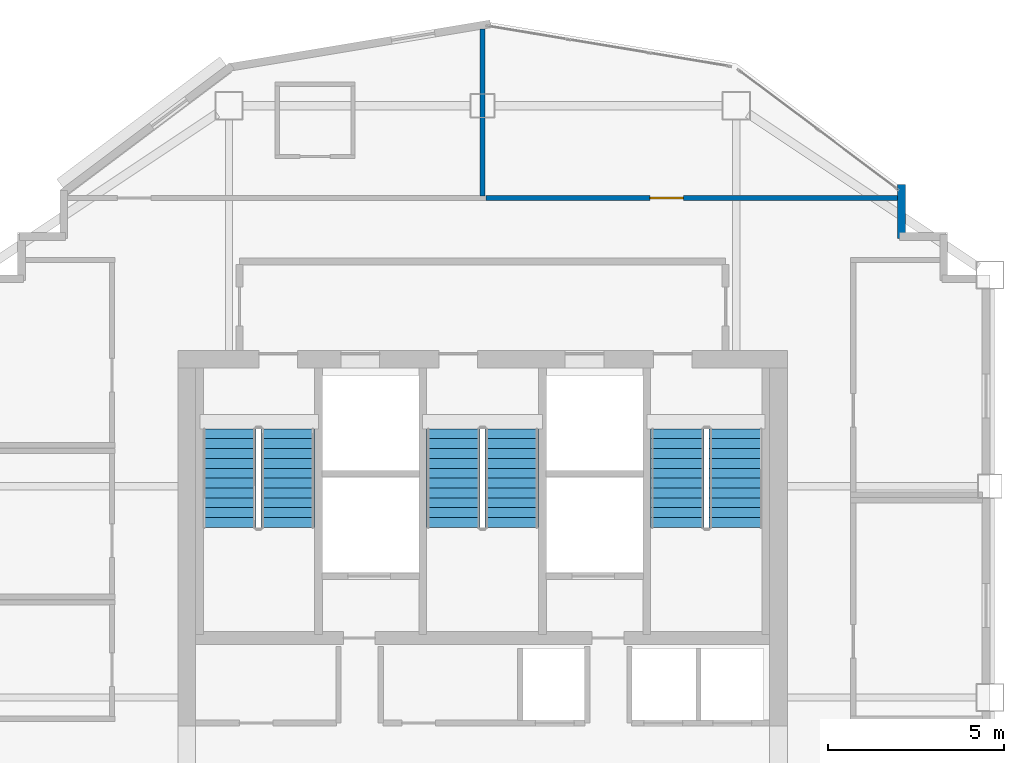
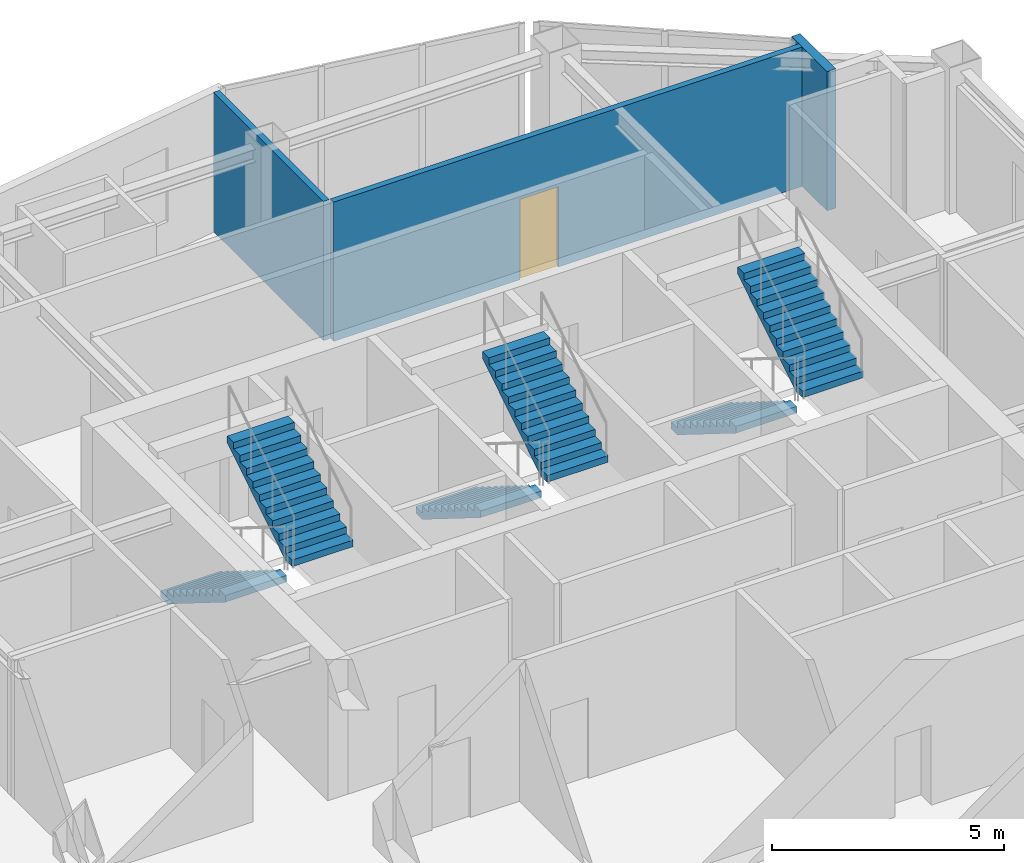
# One storey, part 8 of 9: 6 stair flights, 3 walls, 1 door, 1 opening, 3 elements without a shape of their own.
"""IFC4 building model written with IfcOpenShell, lengths in metres."""

from ifc_helpers import new_model, si_unit, direction, frame, frame_2d, origin, place, context, subcontext, project, spatial, polyline, rectangle, outline, extrude, material, layer, layer_set, type_object, element, fill, aggregate, save


model = new_model("IFC4")

# Units and contexts
model_context = context("Model", 3, precision=1e-05, world=origin(), true_north=direction((0.0, 1.0)))
body_context = subcontext(model_context, "Body", "Model", "MODEL_VIEW")
ifc_project = project(units=[si_unit("LENGTHUNIT", "METRE"), si_unit("AREAUNIT", "SQUARE_METRE"), si_unit("VOLUMEUNIT", "CUBIC_METRE"), si_unit("PLANEANGLEUNIT", "RADIAN"), si_unit("MASSUNIT", "GRAM", prefix="KILO")], contexts=[model_context])

# Site, building, storey
site_placement = place(None, origin())
site = spatial("IfcSite", under=ifc_project, at=site_placement, CompositionType="ELEMENT")
building_placement = place(site_placement, origin())
building = spatial("IfcBuilding", under=site, at=building_placement, Name="Haolan Belvedere Tower", CompositionType="ELEMENT")
storey_placement = place(building_placement, frame((0.0, 0.0, 242.89990234375)))
storey = spatial("IfcBuildingStorey", under=building, at=storey_placement, Name="L61", CompositionType="ELEMENT", Elevation=242.89990234375)

# Walls
ifc_material_1 = material(Name="Precast concrete C40/50", Category="concrete")
ifc_layer_1 = layer(ifc_material_1, 0.219970703125, Name="Precast concrete C40/50")
ifc_layer_set_1 = layer_set([ifc_layer_1], Name="Precast concrete C40/50")
wall_type_1 = type_object("IfcWallType", Name="WL-EXT-220", PredefinedType="SOLIDWALL", material=ifc_layer_set_1)
wall_1_placement = place(storey_placement, frame((50.2900390625, 46.635009765625, 0.0), z_axis=(0.0, 0.0, 1.0), x_axis=(0.0, 1.0, 0.0)))
element("IfcWall", 1, at=wall_1_placement, inside=storey, type_object=wall_type_1, Name="L61 pale-metal exterior spandrel wall 7.1", PredefinedType="SOLIDWALL", context=body_context, shape_type="SweptSolid", body=[
    extrude(rectangle(XDim=1.534912109375, YDim=0.219970703125, at=frame_2d((0.767578125, 0.0))), origin(), (0.0, 0.0, 1.0), 3.670166015625),
])
ifc_material_2 = material(Name="Double gypsum acoustic stud partition", Category="masonry")
ifc_layer_2 = layer(ifc_material_2, 0.14990234375, Name="Double gypsum acoustic stud partition")
ifc_layer_set_2 = layer_set([ifc_layer_2], Name="Double gypsum acoustic stud partition")
wall_type_2 = type_object("IfcWallType", Name="WL-PART-150", PredefinedType="PARTITIONING", material=ifc_layer_set_2)
wall_2_placement = place(storey_placement, frame((38.39990234375, 47.840087890625, 0.0), z_axis=(0.0, 0.0, 1.0), x_axis=(0.0, 1.0, 0.0)))
element("IfcWall", 2, at=wall_2_placement, inside=storey, type_object=wall_type_2, Name="L61 interior partition IW-L61-KN1-E", PredefinedType="PARTITIONING", context=body_context, shape_type="SweptSolid", body=[
    extrude(rectangle(XDim=4.7451171875, YDim=0.14990234375, at=frame_2d((2.37255859375, 0.0))), origin(), (0.0, 0.0, 1.0), 3.670166015625),
])

# Wall, opening, door
wall_3_placement = place(storey_placement, frame((38.501953125, 47.780029296875, 0.0), z_axis=(0.0, 0.0, 1.0), x_axis=(1.0, 0.0, 0.0)))
wall_3 = element("IfcWall", 3, at=wall_3_placement, inside=storey, type_object=wall_type_2, Name="L61 interior partition IW-L61-KN2-S", PredefinedType="PARTITIONING", context=body_context, shape_type="SweptSolid", body=[
    extrude(rectangle(XDim=11.68603515625, YDim=0.14990234375, at=frame_2d((5.843017578125, 0.0))), origin(), (0.0, 0.0, 1.0), 3.670166015625),
])
opening_placement = place(wall_3_placement, frame((4.64794921875, 0.0, 0.0)))
opening = element("IfcOpeningElement", 4, at=opening_placement, cuts=wall_3, Name="Opening ID-03", PredefinedType="OPENING", context=body_context, shape_type="SweptSolid", body=[
    extrude(rectangle(XDim=0.949951171875, YDim=2.1201171875, at=frame_2d((0.47509765625, 1.06005859375))), frame((0.0, 0.0849609375, 0.0), z_axis=(0.0, -1.0, 0.0), x_axis=(1.0, 0.0, 0.0)), (0.0, 0.0, 1.0), 0.169921875),
])
ifc_material_3 = material(Name="Painted solid-core timber", Category="wood")
door_type = type_object("IfcDoorType", Name="DR-INT-950", OperationType="NOTDEFINED", PredefinedType="DOOR", material=ifc_material_3)
door_placement = place(opening_placement, origin())
door = element("IfcDoor", 5, at=door_placement, inside=storey, type_object=door_type, Name="L61 door ID-L61-KN2", OperationType="SINGLE_SWING_LEFT", OverallHeight=2.1201171875, OverallWidth=0.949951171875, PredefinedType="DOOR", context=body_context, shape_type="SweptSolid", body=[
    extrude(rectangle(XDim=0.949951171875, YDim=2.1201171875, at=frame_2d((0.47509765625, 1.06005859375))), frame((0.0, 0.02490234375, 0.0), z_axis=(0.0, -1.0, 0.0), x_axis=(1.0, 0.0, 0.0)), (0.0, 0.0, 1.0), 0.050048828125),
])
fill(opening, door)

# Stair, stair flights
ifc_material_4 = material(Name="Concrete C40/50", Category="concrete")
stair_type = type_object("IfcStairType", Name="STR-DL-22R-175", PredefinedType="HALF_TURN_STAIR", material=ifc_material_4)
stair_1_placement = place(storey_placement, origin())
stair_1 = element("IfcStair", 6, at=stair_1_placement, inside=storey, type_object=stair_type, Name="L61 Smokeproof Core Exit Stair ST1", PredefinedType="HALF_TURN_STAIR")
stair_flight_type = type_object("IfcStairFlightType", Name="SFL-DL-11R-175", PredefinedType="STRAIGHT", material=ifc_material_4)
stair_flight_1_placement = place(storey_placement, frame((31.2099609375, 41.22998046875, 0.0), z_axis=(0.0, 0.0, 1.0), x_axis=(0.0, -1.0, 0.0)))
stair_flight_1 = element("IfcStairFlight", 7, at=stair_flight_1_placement, type_object=stair_flight_type, Name="ST1 flight 1", NumberOfRisers=11, NumberOfTreads=10, PredefinedType="STRAIGHT", RiserHeight=0.175, TreadLength=0.28, context=body_context, shape_type="SweptSolid", body=[
    extrude(outline(polyline([(0.0, 0.0), (0.0, 0.175048828125), (0.280029296875, 0.175048828125), (0.280029296875, 0.35009765625), (0.56005859375, 0.35009765625), (0.56005859375, 0.52490234375), (0.840087890625, 0.52490234375), (0.840087890625, 0.699951171875), (1.1201171875, 0.699951171875), (1.1201171875, 0.875), (1.39990234375, 0.875), (1.39990234375, 1.050048828125), (1.679931640625, 1.050048828125), (1.679931640625, 1.22509765625), (1.9599609375, 1.22509765625), (1.9599609375, 1.39990234375), (2.239990234375, 1.39990234375), (2.239990234375, 1.574951171875), (2.52001953125, 1.574951171875), (2.52001953125, 1.75), (2.800048828125, 1.75), (2.800048828125, 1.925048828125), (2.800048828125, 1.5732421875), (0.28271484375, 0.0), (0.0, 0.0)])), frame((0.0, 0.760009765625, 0.0), z_axis=(0.0, -1.0, 0.0), x_axis=(1.0, 0.0, 0.0)), (0.0, 0.0, 1.0), 1.52001953125),
])
stair_flight_2_placement = place(storey_placement, frame((32.8701171875, 38.429931640625, 1.925048828125), z_axis=(0.0, 0.0, 1.0), x_axis=(0.0, 1.0, 0.0)))
stair_flight_2 = element("IfcStairFlight", 8, at=stair_flight_2_placement, type_object=stair_flight_type, Name="ST1 flight 2", NumberOfRisers=11, NumberOfTreads=10, PredefinedType="STRAIGHT", RiserHeight=0.175, TreadLength=0.28, context=body_context, shape_type="SweptSolid", body=[
    extrude(outline(polyline([(0.0, 0.0), (0.0, 0.175048828125), (0.280029296875, 0.175048828125), (0.280029296875, 0.35009765625), (0.56005859375, 0.35009765625), (0.56005859375, 0.52490234375), (0.840087890625, 0.52490234375), (0.840087890625, 0.699951171875), (1.1201171875, 0.699951171875), (1.1201171875, 0.875), (1.39990234375, 0.875), (1.39990234375, 1.050048828125), (1.679931640625, 1.050048828125), (1.679931640625, 1.22509765625), (1.9599609375, 1.22509765625), (1.9599609375, 1.39990234375), (2.239990234375, 1.39990234375), (2.239990234375, 1.574951171875), (2.52001953125, 1.574951171875), (2.52001953125, 1.75), (2.800048828125, 1.75), (2.800048828125, 1.925048828125), (2.800048828125, 1.5732421875), (0.28271484375, 0.0), (0.0, 0.0)])), frame((0.0, 0.760009765625, 0.0), z_axis=(0.0, -1.0, 0.0), x_axis=(1.0, 0.0, 0.0)), (0.0, 0.0, 1.0), 1.52001953125),
])
aggregate(stair_1, [stair_flight_1, stair_flight_2])

stair_2_placement = place(storey_placement, origin())
stair_2 = element("IfcStair", 9, at=stair_2_placement, inside=storey, type_object=stair_type, Name="L61 Smokeproof Core Exit Stair ST3", PredefinedType="HALF_TURN_STAIR")
stair_flight_3_placement = place(storey_placement, frame((37.570068359375, 41.22998046875, 0.0), z_axis=(0.0, 0.0, 1.0), x_axis=(0.0, -1.0, 0.0)))
stair_flight_3 = element("IfcStairFlight", 10, at=stair_flight_3_placement, type_object=stair_flight_type, Name="ST3 flight 1", NumberOfRisers=11, NumberOfTreads=10, PredefinedType="STRAIGHT", RiserHeight=0.175, TreadLength=0.28, context=body_context, shape_type="SweptSolid", body=[
    extrude(outline(polyline([(0.0, 0.0), (0.0, 0.175048828125), (0.280029296875, 0.175048828125), (0.280029296875, 0.35009765625), (0.56005859375, 0.35009765625), (0.56005859375, 0.52490234375), (0.840087890625, 0.52490234375), (0.840087890625, 0.699951171875), (1.1201171875, 0.699951171875), (1.1201171875, 0.875), (1.39990234375, 0.875), (1.39990234375, 1.050048828125), (1.679931640625, 1.050048828125), (1.679931640625, 1.22509765625), (1.9599609375, 1.22509765625), (1.9599609375, 1.39990234375), (2.239990234375, 1.39990234375), (2.239990234375, 1.574951171875), (2.52001953125, 1.574951171875), (2.52001953125, 1.75), (2.800048828125, 1.75), (2.800048828125, 1.925048828125), (2.800048828125, 1.5732421875), (0.28271484375, 0.0), (0.0, 0.0)])), frame((0.0, 0.760009765625, 0.0), z_axis=(0.0, -1.0, 0.0), x_axis=(1.0, 0.0, 0.0)), (0.0, 0.0, 1.0), 1.52001953125),
])
stair_flight_4_placement = place(storey_placement, frame((39.22998046875, 38.429931640625, 1.925048828125), z_axis=(0.0, 0.0, 1.0), x_axis=(0.0, 1.0, 0.0)))
stair_flight_4 = element("IfcStairFlight", 11, at=stair_flight_4_placement, type_object=stair_flight_type, Name="ST3 flight 2", NumberOfRisers=11, NumberOfTreads=10, PredefinedType="STRAIGHT", RiserHeight=0.175, TreadLength=0.28, context=body_context, shape_type="SweptSolid", body=[
    extrude(outline(polyline([(0.0, 0.0), (0.0, 0.175048828125), (0.280029296875, 0.175048828125), (0.280029296875, 0.35009765625), (0.56005859375, 0.35009765625), (0.56005859375, 0.52490234375), (0.840087890625, 0.52490234375), (0.840087890625, 0.699951171875), (1.1201171875, 0.699951171875), (1.1201171875, 0.875), (1.39990234375, 0.875), (1.39990234375, 1.050048828125), (1.679931640625, 1.050048828125), (1.679931640625, 1.22509765625), (1.9599609375, 1.22509765625), (1.9599609375, 1.39990234375), (2.239990234375, 1.39990234375), (2.239990234375, 1.574951171875), (2.52001953125, 1.574951171875), (2.52001953125, 1.75), (2.800048828125, 1.75), (2.800048828125, 1.925048828125), (2.800048828125, 1.5732421875), (0.28271484375, 0.0), (0.0, 0.0)])), frame((0.0, 0.760009765625, 0.0), z_axis=(0.0, -1.0, 0.0), x_axis=(1.0, 0.0, 0.0)), (0.0, 0.0, 1.0), 1.52001953125),
])
aggregate(stair_2, [stair_flight_3, stair_flight_4])

stair_3_placement = place(storey_placement, origin())
stair_3 = element("IfcStair", 12, at=stair_3_placement, inside=storey, type_object=stair_type, Name="L61 Smokeproof Core Exit Stair ST2", PredefinedType="HALF_TURN_STAIR")
stair_flight_5_placement = place(storey_placement, frame((43.929931640625, 41.22998046875, 0.0), z_axis=(0.0, 0.0, 1.0), x_axis=(0.0, -1.0, 0.0)))
stair_flight_5 = element("IfcStairFlight", 13, at=stair_flight_5_placement, type_object=stair_flight_type, Name="ST2 flight 1", NumberOfRisers=11, NumberOfTreads=10, PredefinedType="STRAIGHT", RiserHeight=0.175, TreadLength=0.28, context=body_context, shape_type="SweptSolid", body=[
    extrude(outline(polyline([(0.0, 0.0), (0.0, 0.175048828125), (0.280029296875, 0.175048828125), (0.280029296875, 0.35009765625), (0.56005859375, 0.35009765625), (0.56005859375, 0.52490234375), (0.840087890625, 0.52490234375), (0.840087890625, 0.699951171875), (1.1201171875, 0.699951171875), (1.1201171875, 0.875), (1.39990234375, 0.875), (1.39990234375, 1.050048828125), (1.679931640625, 1.050048828125), (1.679931640625, 1.22509765625), (1.9599609375, 1.22509765625), (1.9599609375, 1.39990234375), (2.239990234375, 1.39990234375), (2.239990234375, 1.574951171875), (2.52001953125, 1.574951171875), (2.52001953125, 1.75), (2.800048828125, 1.75), (2.800048828125, 1.925048828125), (2.800048828125, 1.5732421875), (0.28271484375, 0.0), (0.0, 0.0)])), frame((0.0, 0.760009765625, 0.0), z_axis=(0.0, -1.0, 0.0), x_axis=(1.0, 0.0, 0.0)), (0.0, 0.0, 1.0), 1.52001953125),
])
stair_flight_6_placement = place(storey_placement, frame((45.590087890625, 38.429931640625, 1.925048828125), z_axis=(0.0, 0.0, 1.0), x_axis=(0.0, 1.0, 0.0)))
stair_flight_6 = element("IfcStairFlight", 14, at=stair_flight_6_placement, type_object=stair_flight_type, Name="ST2 flight 2", NumberOfRisers=11, NumberOfTreads=10, PredefinedType="STRAIGHT", RiserHeight=0.175, TreadLength=0.28, context=body_context, shape_type="SweptSolid", body=[
    extrude(outline(polyline([(0.0, 0.0), (0.0, 0.175048828125), (0.280029296875, 0.175048828125), (0.280029296875, 0.35009765625), (0.56005859375, 0.35009765625), (0.56005859375, 0.52490234375), (0.840087890625, 0.52490234375), (0.840087890625, 0.699951171875), (1.1201171875, 0.699951171875), (1.1201171875, 0.875), (1.39990234375, 0.875), (1.39990234375, 1.050048828125), (1.679931640625, 1.050048828125), (1.679931640625, 1.22509765625), (1.9599609375, 1.22509765625), (1.9599609375, 1.39990234375), (2.239990234375, 1.39990234375), (2.239990234375, 1.574951171875), (2.52001953125, 1.574951171875), (2.52001953125, 1.75), (2.800048828125, 1.75), (2.800048828125, 1.925048828125), (2.800048828125, 1.5732421875), (0.28271484375, 0.0), (0.0, 0.0)])), frame((0.0, 0.760009765625, 0.0), z_axis=(0.0, -1.0, 0.0), x_axis=(1.0, 0.0, 0.0)), (0.0, 0.0, 1.0), 1.52001953125),
])
aggregate(stair_3, [stair_flight_5, stair_flight_6])

save(model, "model.ifc")
